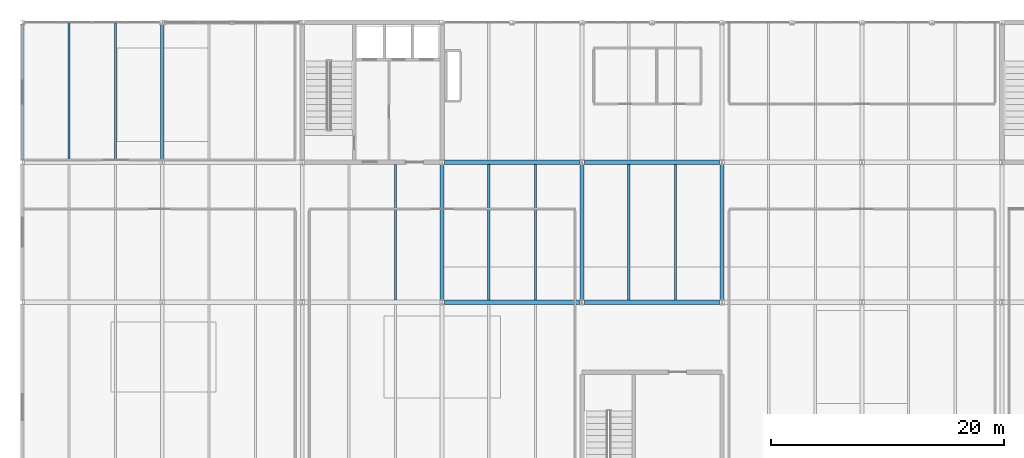
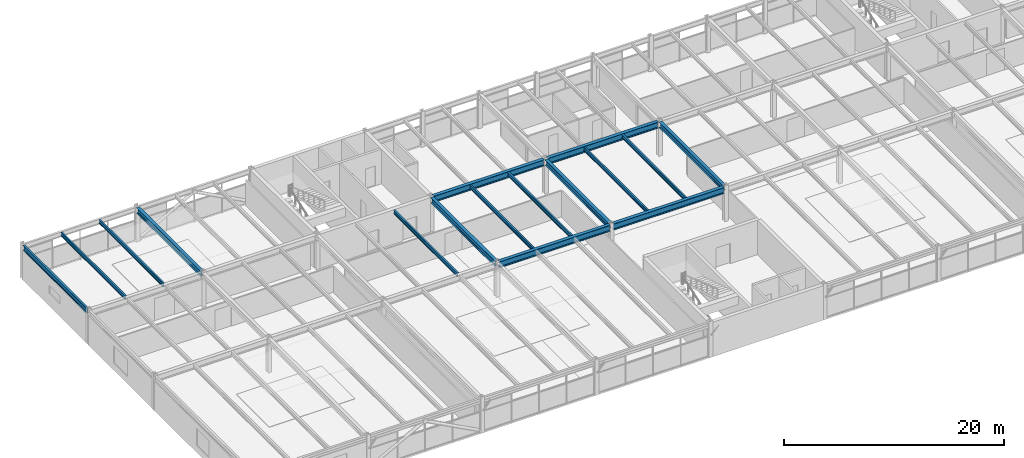
# One storey, part 17 of 51: 16 beams.
"""IFC4 building model written with IfcOpenShell, lengths in metres."""

from ifc_helpers import new_model, si_unit, direction, frame, origin, origin_2d, place, context, subcontext, project, spatial, i_section, extrude, material, material_profile, profile_set, type_object, element, save


model = new_model("IFC4")

# Units and contexts
model_context = context("Model", 3, precision=1e-05, world=origin(), true_north=direction((0.0, 1.0)))
body_context = subcontext(model_context, "Body", "Model", "MODEL_VIEW")
ifc_project = project(units=[si_unit("LENGTHUNIT", "METRE"), si_unit("AREAUNIT", "SQUARE_METRE"), si_unit("VOLUMEUNIT", "CUBIC_METRE"), si_unit("PLANEANGLEUNIT", "RADIAN"), si_unit("MASSUNIT", "GRAM", prefix="KILO")], contexts=[model_context])

# Site, building, storey
site_placement = place(None, origin())
site = spatial("IfcSite", under=ifc_project, at=site_placement, CompositionType="ELEMENT")
building_placement = place(site_placement, origin())
building = spatial("IfcBuilding", under=site, at=building_placement, Name="Girod Span Mobility Hub", CompositionType="ELEMENT")
storey_placement = place(building_placement, frame((0.0, 0.0, 41.60009765625)))
storey = spatial("IfcBuildingStorey", under=building, at=storey_placement, Name="L10", CompositionType="ELEMENT", Elevation=41.60009765625)

# Beams
ifc_material_1 = material(Name="Steel A992 Grade 50", Category="steel")
ifc_material_profile_1 = material_profile(ifc_material_1, i_section(OverallWidth=0.178955078125, OverallDepth=0.409912109375, WebThickness=0.0087890625, FlangeThickness=0.014404296875, FilletRadius=0.012939453125, at=origin_2d()), Name="W16X45")
ifc_profile_set_1 = profile_set([ifc_material_profile_1], Name="Steel A992 Grade 50")
beam_type_1 = type_object("IfcBeamType", Name="BM-STL-W16X45", PredefinedType="BEAM", material=ifc_profile_set_1)
for number, where, z_axis, x_axis, name in (
    (1, (28.0, 57.174560546875, 3.619873046875), (0.0, 1.0, 0.0), (-1.0, 0.0, 0.0), "Composite Floorbeam 3/E-1 L10"),
    (2, (32.0, 57.174560546875, 3.619873046875), (0.0, 1.0, 0.0), (-1.0, 0.0, 0.0), "Composite Floorbeam 3/E-2 L10"),
):
    element("IfcBeam", number, at=place(storey_placement, frame(where, z_axis=z_axis, x_axis=x_axis)), inside=storey, type_object=beam_type_1, Name=name, PredefinedType="BEAM", context=body_context, shape_type="SweptSolid", body=[
        extrude(i_section(OverallWidth=0.178955078125, OverallDepth=0.409912109375, WebThickness=0.0087890625, FlangeThickness=0.014404296875, FilletRadius=0.012939453125, at=origin_2d()), origin(), (0.0, 0.0, 1.0), 11.722412109375),
    ])
beam_1_placement = place(storey_placement, frame((56.0, 45.174560546875, 3.619873046875), z_axis=(0.0, 1.0, 0.0), x_axis=(-1.0, 0.0, 0.0)))
element("IfcBeam", 3, at=beam_1_placement, inside=storey, type_object=beam_type_1, Name="Composite Floorbeam 5/D-2 L10", PredefinedType="BEAM", context=body_context, shape_type="SweptSolid", body=[
    extrude(i_section(OverallWidth=0.178955078125, OverallDepth=0.409912109375, WebThickness=0.0087890625, FlangeThickness=0.014404296875, FilletRadius=0.012939453125, at=origin_2d()), origin(), (0.0, 0.0, 1.0), 11.62841796875),
])
for number, where, z_axis, x_axis, name in (
    (4, (64.0, 45.174560546875, 3.619873046875), (0.0, 1.0, 0.0), (-1.0, 0.0, 0.0), "Composite Floorbeam 6/D-1 L10"),
    (5, (68.0, 45.174560546875, 3.619873046875), (0.0, 1.0, 0.0), (-1.0, 0.0, 0.0), "Composite Floorbeam 6/D-2 L10"),
    (6, (76.0, 45.174560546875, 3.619873046875), (0.0, 1.0, 0.0), (-1.0, 0.0, 0.0), "Composite Floorbeam 7/D-1 L10"),
    (7, (80.0, 45.174560546875, 3.619873046875), (0.0, 1.0, 0.0), (-1.0, 0.0, 0.0), "Composite Floorbeam 7/D-2 L10"),
):
    element("IfcBeam", number, at=place(storey_placement, frame(where, z_axis=z_axis, x_axis=x_axis)), inside=storey, type_object=beam_type_1, Name=name, PredefinedType="BEAM", context=body_context, shape_type="SweptSolid", body=[
        extrude(i_section(OverallWidth=0.178955078125, OverallDepth=0.409912109375, WebThickness=0.0087890625, FlangeThickness=0.014404296875, FilletRadius=0.012939453125, at=origin_2d()), origin(), (0.0, 0.0, 1.0), 11.65087890625),
    ])
ifc_material_2 = material(Name="Steel A992 Grade 50", Category="steel")
ifc_material_profile_2 = material_profile(ifc_material_2, i_section(OverallWidth=0.2119140625, OverallDepth=0.5439453125, WebThickness=0.01318359375, FlangeThickness=0.021240234375, FilletRadius=0.014892578125, at=origin_2d()), Name="W21X83")
ifc_profile_set_2 = profile_set([ifc_material_profile_2], Name="Steel A992 Grade 50")
beam_type_2 = type_object("IfcBeamType", Name="BM-STL-W21X83", PredefinedType="SPANDREL", material=ifc_profile_set_2)
beam_2_placement = place(storey_placement, frame((24.0, 57.1845703125, 3.552978515625), z_axis=(0.0, 1.0, 0.0), x_axis=(-1.0, 0.0, 0.0)))
element("IfcBeam", 8, at=beam_2_placement, inside=storey, type_object=beam_type_2, Name="Tie Girder 3/E-F L10", PredefinedType="SPANDREL", context=body_context, shape_type="SweptSolid", body=[
    extrude(i_section(OverallWidth=0.2119140625, OverallDepth=0.5439453125, WebThickness=0.01318359375, FlangeThickness=0.021240234375, FilletRadius=0.014892578125, at=origin_2d()), origin(), (0.0, 0.0, 1.0), 11.630859375),
])
ifc_material_3 = material(Name="Steel A992 Grade 50", Category="steel")
ifc_material_profile_3 = material_profile(ifc_material_3, i_section(OverallWidth=0.323974609375, OverallDepth=0.611083984375, WebThickness=0.0126953125, FlangeThickness=0.01904296875, FilletRadius=0.014892578125, at=origin_2d()), Name="W24X104")
ifc_profile_set_3 = profile_set([ifc_material_profile_3], Name="Steel A992 Grade 50")
beam_type_3 = type_object("IfcBeamType", Name="BM-STL-W24X104", PredefinedType="BEAM", material=ifc_profile_set_3)
beam_3_placement = place(storey_placement, frame((36.0, 57.1845703125, 3.519287109375), z_axis=(0.0, 1.0, 0.0), x_axis=(-1.0, 0.0, 0.0)))
element("IfcBeam", 9, at=beam_3_placement, inside=storey, type_object=beam_type_3, Name="Tie Girder 4/E-F L10", PredefinedType="BEAM", context=body_context, shape_type="SweptSolid", body=[
    extrude(i_section(OverallWidth=0.323974609375, OverallDepth=0.611083984375, WebThickness=0.0126953125, FlangeThickness=0.01904296875, FilletRadius=0.014892578125, at=origin_2d()), origin(), (0.0, 0.0, 1.0), 11.630859375),
])
for number, where, z_axis, x_axis, name in (
    (10, (60.0, 45.193603515625, 3.519287109375), (0.0, 1.0, 0.0), (-1.0, 0.0, 0.0), "Tie Girder 6/D-E L10"),
    (11, (72.0, 45.193603515625, 3.519287109375), (0.0, 1.0, 0.0), (-1.0, 0.0, 0.0), "Tie Girder 7/D-E L10"),
    (12, (84.0, 45.193603515625, 3.519287109375), (0.0, 1.0, 0.0), (-1.0, 0.0, 0.0), "Tie Girder 8/D-E L10"),
):
    element("IfcBeam", number, at=place(storey_placement, frame(where, z_axis=z_axis, x_axis=x_axis)), inside=storey, type_object=beam_type_3, Name=name, PredefinedType="BEAM", context=body_context, shape_type="SweptSolid", body=[
        extrude(i_section(OverallWidth=0.323974609375, OverallDepth=0.611083984375, WebThickness=0.0126953125, FlangeThickness=0.01904296875, FilletRadius=0.014892578125, at=origin_2d()), origin(), (0.0, 0.0, 1.0), 11.61279296875),
    ])
ifc_material_4 = material(Name="Steel A992 Grade 50", Category="steel")
ifc_material_profile_4 = material_profile(ifc_material_4, i_section(OverallWidth=0.35498046875, OverallDepth=0.695068359375, WebThickness=0.015380859375, FlangeThickness=0.02490234375, FilletRadius=0.01806640625, at=origin_2d()), Name="W27X146")
ifc_profile_set_4 = profile_set([ifc_material_profile_4], Name="Steel A992 Grade 50")
beam_type_4 = type_object("IfcBeamType", Name="BM-STL-W27X146", PredefinedType="BEAM", material=ifc_profile_set_4)
for number, where, z_axis, x_axis, name in (
    (13, (60.196533203125, 45.0, 3.477294921875), (1.0, 0.0, 0.0), (0.0, 1.0, 0.0), "Girder 6-7/D L10"),
    (14, (72.196533203125, 45.0, 3.477294921875), (1.0, 0.0, 0.0), (0.0, 1.0, 0.0), "Girder 7-8/D L10"),
    (15, (60.196533203125, 57.0, 3.477294921875), (1.0, 0.0, 0.0), (0.0, 1.0, 0.0), "Girder 6-7/E L10"),
    (16, (72.196533203125, 57.0, 3.477294921875), (1.0, 0.0, 0.0), (0.0, 1.0, 0.0), "Girder 7-8/E L10"),
):
    element("IfcBeam", number, at=place(storey_placement, frame(where, z_axis=z_axis, x_axis=x_axis)), inside=storey, type_object=beam_type_4, Name=name, PredefinedType="BEAM", context=body_context, shape_type="SweptSolid", body=[
        extrude(i_section(OverallWidth=0.35498046875, OverallDepth=0.695068359375, WebThickness=0.015380859375, FlangeThickness=0.02490234375, FilletRadius=0.01806640625, at=origin_2d()), origin(), (0.0, 0.0, 1.0), 11.60693359375),
    ])

save(model, "model.ifc")
